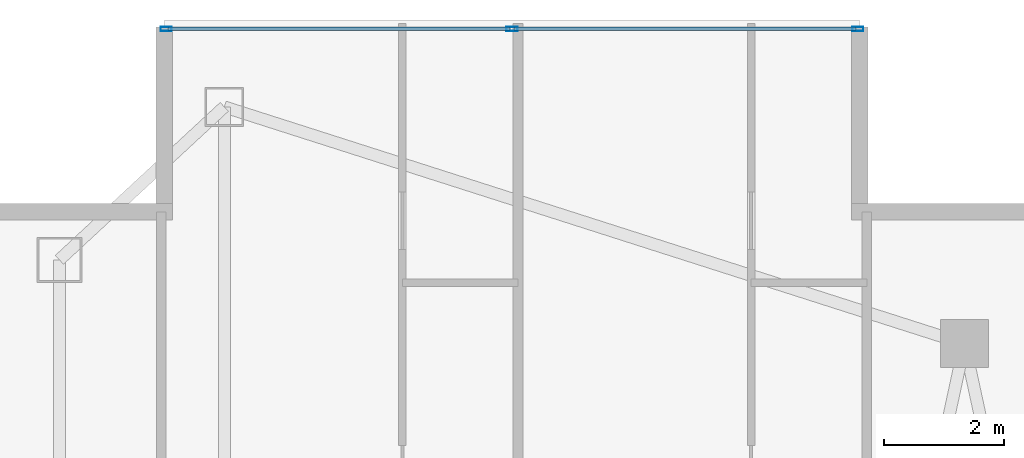
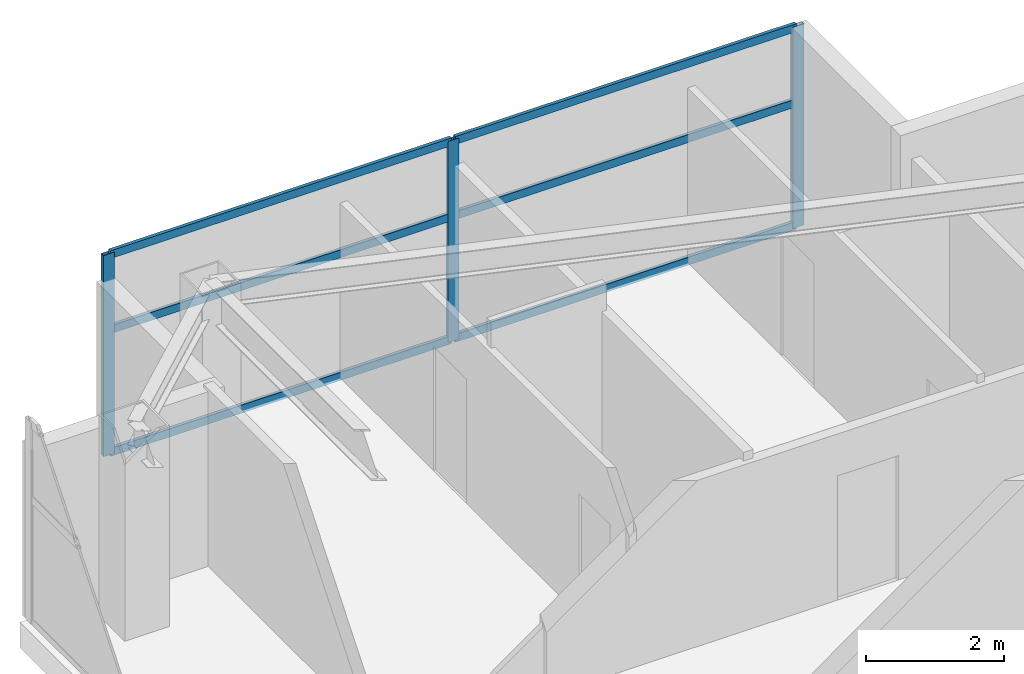
# One storey, part 19 of 28: 9 members, 1 element without a shape of its own.
"""IFC4 building model written with IfcOpenShell, lengths in metres."""

from ifc_helpers import new_model, si_unit, direction, frame, origin, origin_2d, place, context, subcontext, project, spatial, hollow_rectangle, extrude, material, layer, layer_set, material_profile, profile_set, type_object, element, aggregate, save


model = new_model("IFC4")

# Units and contexts
model_context = context("Model", 3, precision=1e-05, world=origin(), true_north=direction((0.0, 1.0)))
body_context = subcontext(model_context, "Body", "Model", "MODEL_VIEW")
ifc_project = project(units=[si_unit("LENGTHUNIT", "METRE"), si_unit("AREAUNIT", "SQUARE_METRE"), si_unit("VOLUMEUNIT", "CUBIC_METRE"), si_unit("PLANEANGLEUNIT", "RADIAN"), si_unit("MASSUNIT", "GRAM", prefix="KILO")], contexts=[model_context])

# Site, building, storey
site_placement = place(None, origin())
site = spatial("IfcSite", under=ifc_project, at=site_placement, CompositionType="ELEMENT")
building_placement = place(site_placement, origin())
building = spatial("IfcBuilding", under=site, at=building_placement, Name="Calvorn Quay Hotel", CompositionType="ELEMENT")
storey_placement = place(building_placement, frame((0.0, 0.0, 219.300048828125)))
storey = spatial("IfcBuildingStorey", under=building, at=storey_placement, Name="L54", CompositionType="ELEMENT", Elevation=219.300048828125)

# Curtain wall, members
ifc_material_1 = material(Name="Champagne Bronze Anodised Aluminium and Low-E Glass", Category="aluminium")
ifc_layer = layer(ifc_material_1, 0.219970703125)
ifc_layer_set = layer_set([ifc_layer], Name="CW-SYS-Z3")
curtain_wall_type = type_object("IfcCurtainWallType", Name="CW-SYS-Z3", PredefinedType="NOTDEFINED", material=ifc_layer_set)
curtain_wall_placement = place(storey_placement, origin())
curtain_wall = element("IfcCurtainWall", 1, at=curtain_wall_placement, inside=storey, type_object=curtain_wall_type, Name="Inner Court Curtain Wall L54-N1", PredefinedType="NOTDEFINED")
ifc_material_2 = material(Name="Champagne Bronze Anodised Aluminium 6063-T6", Category="aluminium")
ifc_material_profile_1 = material_profile(ifc_material_2, hollow_rectangle(XDim=0.068115234375, YDim=0.18505859375, WallThickness=0.00390625, at=origin_2d()), Name="ALU-M185x68x4")
ifc_profile_set_1 = profile_set([ifc_material_profile_1], Name="Champagne Bronze Anodised Aluminium 6063-T6")
member_type_1 = type_object("IfcMemberType", Name="CW-SYS-Z3-MUL", PredefinedType="MULLION", material=ifc_profile_set_1)
member_1_placement = place(storey_placement, frame((14.77001953125, 50.85009765625, 0.0), z_axis=(0.0, 0.0, 1.0), x_axis=(0.0, -1.0, 0.0)))
member_1 = element("IfcMember", 2, at=member_1_placement, type_object=member_type_1, Name="CW-L54-N1 mullion 1", PredefinedType="MULLION", context=body_context, shape_type="SweptSolid", body=[
    extrude(hollow_rectangle(XDim=0.068115234375, YDim=0.18505859375, WallThickness=0.00390625, at=origin_2d()), origin(), (0.0, 0.0, 1.0), 3.56005859375),
])
member_2_placement = place(storey_placement, frame((9.0, 50.85009765625, 0.0), z_axis=(0.0, 0.0, 1.0), x_axis=(0.0, -1.0, 0.0)))
member_2 = element("IfcMember", 3, at=member_2_placement, type_object=member_type_1, Name="CW-L54-N1 mullion 2", PredefinedType="MULLION", context=body_context, shape_type="SweptSolid", body=[
    extrude(hollow_rectangle(XDim=0.068115234375, YDim=0.18505859375, WallThickness=0.00390625, at=origin_2d()), origin(), (0.0, 0.0, 1.0), 3.56005859375),
])
member_3_placement = place(storey_placement, frame((3.22998046875, 50.85009765625, 0.0), z_axis=(0.0, 0.0, 1.0), x_axis=(0.0, -1.0, 0.0)))
member_3 = element("IfcMember", 4, at=member_3_placement, type_object=member_type_1, Name="CW-L54-N1 mullion 3", PredefinedType="MULLION", context=body_context, shape_type="SweptSolid", body=[
    extrude(hollow_rectangle(XDim=0.068115234375, YDim=0.18505859375, WallThickness=0.00390625, at=origin_2d()), origin(), (0.0, 0.0, 1.0), 3.56005859375),
])
ifc_material_3 = material(Name="Champagne Bronze Anodised Aluminium 6063-T6", Category="aluminium")
ifc_material_profile_2 = material_profile(ifc_material_3, hollow_rectangle(XDim=0.05810546875, YDim=0.139892578125, WallThickness=0.003173828125, at=origin_2d()), Name="ALU-T140x58x3.2")
ifc_profile_set_2 = profile_set([ifc_material_profile_2], Name="Champagne Bronze Anodised Aluminium 6063-T6")
member_type_2 = type_object("IfcMemberType", Name="CW-SYS-Z3-TRN", PredefinedType="USERDEFINED", material=ifc_profile_set_2)
member_4_placement = place(storey_placement, frame((14.739990234375, 50.85009765625, 0.030029296875), z_axis=(-1.0, 0.0, 0.0), x_axis=(0.0, -1.0, 0.0)))
member_4 = element("IfcMember", 5, at=member_4_placement, type_object=member_type_2, Name="CW-L54-N1 transom 1.1", ObjectType="TRANSOM", PredefinedType="USERDEFINED", context=body_context, shape_type="SweptSolid", body=[
    extrude(hollow_rectangle(XDim=0.05810546875, YDim=0.139892578125, WallThickness=0.003173828125, at=origin_2d()), origin(), (0.0, 0.0, 1.0), 5.7099609375),
])
member_5_placement = place(storey_placement, frame((14.739990234375, 50.85009765625, 2.199951171875), z_axis=(-1.0, 0.0, 0.0), x_axis=(0.0, -1.0, 0.0)))
member_5 = element("IfcMember", 6, at=member_5_placement, type_object=member_type_2, Name="CW-L54-N1 transom 1.2", ObjectType="TRANSOM", PredefinedType="USERDEFINED", context=body_context, shape_type="SweptSolid", body=[
    extrude(hollow_rectangle(XDim=0.05810546875, YDim=0.139892578125, WallThickness=0.003173828125, at=origin_2d()), origin(), (0.0, 0.0, 1.0), 5.7099609375),
])
member_6_placement = place(storey_placement, frame((14.739990234375, 50.85009765625, 3.530029296875), z_axis=(-1.0, 0.0, 0.0), x_axis=(0.0, -1.0, 0.0)))
member_6 = element("IfcMember", 7, at=member_6_placement, type_object=member_type_2, Name="CW-L54-N1 transom 1.3", ObjectType="TRANSOM", PredefinedType="USERDEFINED", context=body_context, shape_type="SweptSolid", body=[
    extrude(hollow_rectangle(XDim=0.05810546875, YDim=0.139892578125, WallThickness=0.003173828125, at=origin_2d()), origin(), (0.0, 0.0, 1.0), 5.7099609375),
])
member_7_placement = place(storey_placement, frame((8.969970703125, 50.85009765625, 0.030029296875), z_axis=(-1.0, 0.0, 0.0), x_axis=(0.0, -1.0, 0.0)))
member_7 = element("IfcMember", 8, at=member_7_placement, type_object=member_type_2, Name="CW-L54-N1 transom 2.1", ObjectType="TRANSOM", PredefinedType="USERDEFINED", context=body_context, shape_type="SweptSolid", body=[
    extrude(hollow_rectangle(XDim=0.05810546875, YDim=0.139892578125, WallThickness=0.003173828125, at=origin_2d()), origin(), (0.0, 0.0, 1.0), 5.7099609375),
])
member_8_placement = place(storey_placement, frame((8.969970703125, 50.85009765625, 2.199951171875), z_axis=(-1.0, 0.0, 0.0), x_axis=(0.0, -1.0, 0.0)))
member_8 = element("IfcMember", 9, at=member_8_placement, type_object=member_type_2, Name="CW-L54-N1 transom 2.2", ObjectType="TRANSOM", PredefinedType="USERDEFINED", context=body_context, shape_type="SweptSolid", body=[
    extrude(hollow_rectangle(XDim=0.05810546875, YDim=0.139892578125, WallThickness=0.003173828125, at=origin_2d()), origin(), (0.0, 0.0, 1.0), 5.7099609375),
])
member_9_placement = place(storey_placement, frame((8.969970703125, 50.85009765625, 3.530029296875), z_axis=(-1.0, 0.0, 0.0), x_axis=(0.0, -1.0, 0.0)))
member_9 = element("IfcMember", 10, at=member_9_placement, type_object=member_type_2, Name="CW-L54-N1 transom 2.3", ObjectType="TRANSOM", PredefinedType="USERDEFINED", context=body_context, shape_type="SweptSolid", body=[
    extrude(hollow_rectangle(XDim=0.05810546875, YDim=0.139892578125, WallThickness=0.003173828125, at=origin_2d()), origin(), (0.0, 0.0, 1.0), 5.7099609375),
])
aggregate(curtain_wall, [member_1, member_2, member_3, member_4, member_5, member_6, member_7, member_8, member_9])

save(model, "model.ifc")
